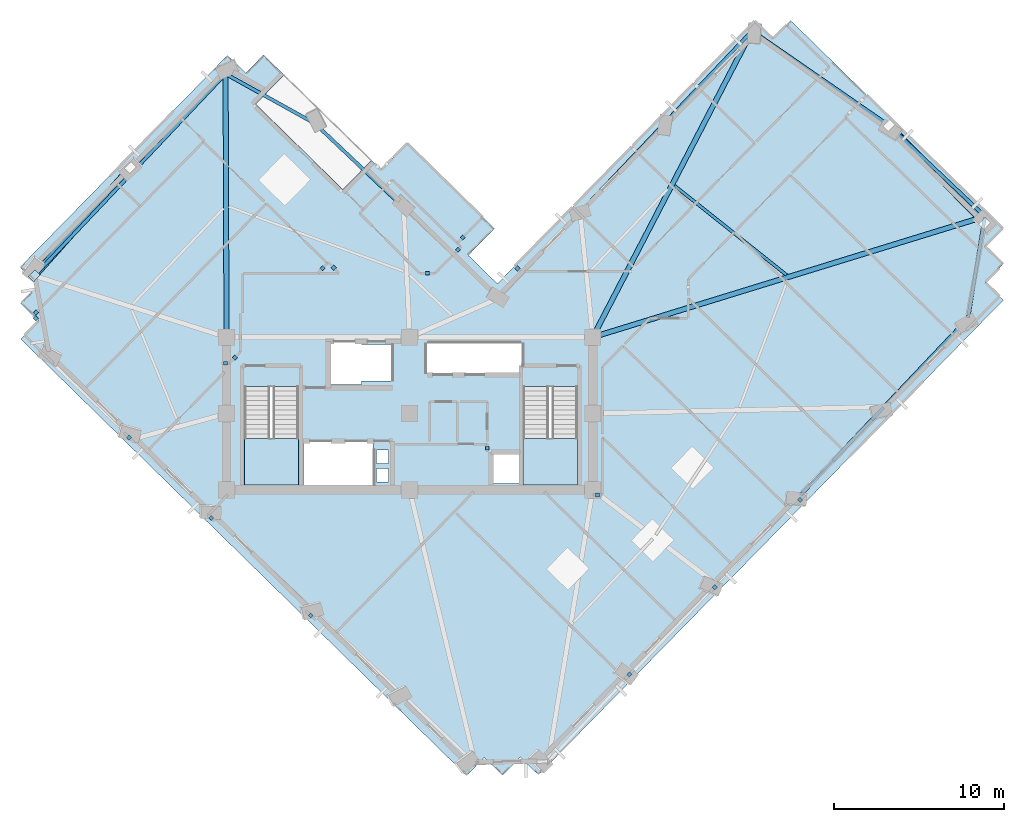
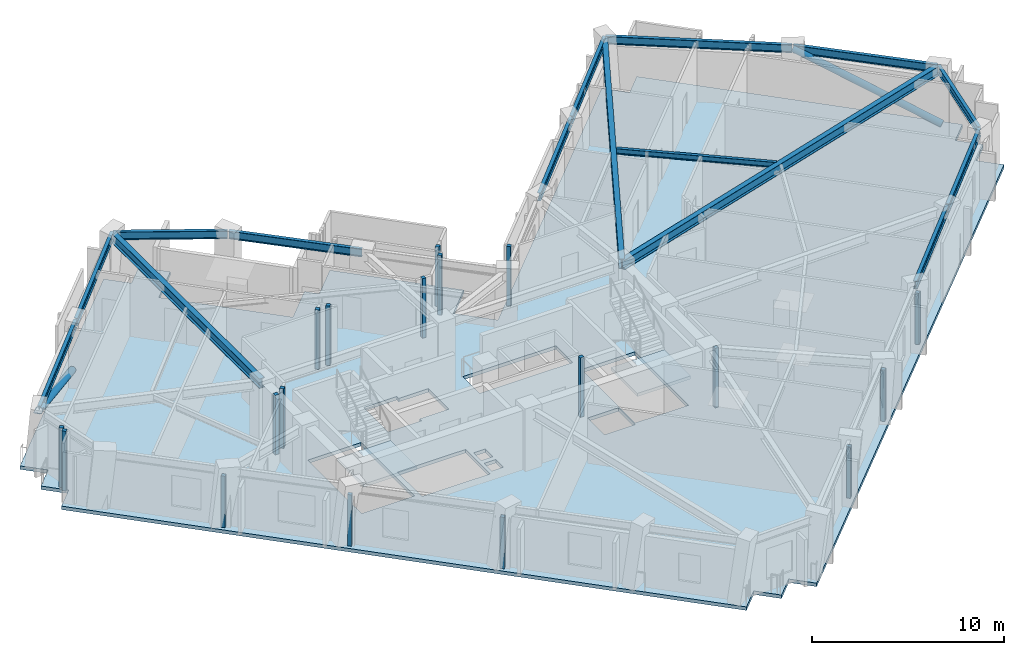
# One storey, part 2 of 12: 19 plates, 15 beams, 3 slabs, 2 members, 2 elements without a shape of their own.
"""IFC4 building model written with IfcOpenShell, lengths in metres."""

import ifcopenshell
import ifcopenshell.guid

model = None  # the IFC model being written
_history = None  # IfcOwnerHistory: only IFC2X3 demands one
_inside = {}  # id of a spatial element -> (the spatial element, [elements in it])
_under = {}  # id of a project, library or spatial element -> (it, [spatial elements below it])
_declared = {}  # id of a project -> (the project, [libraries it declares])
_typed = {}  # id of a type object -> (the type object, [elements of that type])
_made_of = {}  # id of a material, layer set ... -> (it, [elements and type objects made of it])


def new_model(schema):
    """Start an empty IFC model of exactly this schema.

    Asked for "IFC4X3", IfcOpenShell would pick the latest addendum, in which some entities
    have other attributes; the version numbers below select the first issue.
    IFC2X3 requires an IfcOwnerHistory on every rooted entity: one is made here for all.
    """
    global model, _history
    if schema == "IFC4X3":
        model = ifcopenshell.file(schema_version=(4, 3, 0, 0))
    else:
        model = ifcopenshell.file(schema=schema)
    _inside.clear()
    _under.clear()
    _declared.clear()
    _typed.clear()
    _made_of.clear()
    _history = None
    if model.schema == "IFC2X3":
        org = make("IfcOrganization", Name="unknown")
        user = make(
            "IfcPersonAndOrganization",
            ThePerson=make("IfcPerson", FamilyName="unknown"),
            TheOrganization=org,
        )
        app = make(
            "IfcApplication",
            ApplicationDeveloper=org,
            Version="unknown",
            ApplicationFullName="unknown",
            ApplicationIdentifier="unknown",
        )
        _history = make(
            "IfcOwnerHistory",
            OwningUser=user,
            OwningApplication=app,
            ChangeAction="ADDED",
            CreationDate=0,
        )
    return model


def make(cls, **values):
    """One entity of the class cls with the attributes given. An attribute that is None is left unset."""
    return model.create_entity(
        cls, **{name: value for name, value in values.items() if value is not None}
    )


def rooted(cls, **values):
    """An entity with a GlobalId (a new one), such as an element, a storey or a relation."""
    return make(cls, GlobalId=ifcopenshell.guid.new(), OwnerHistory=_history, **values)


def si_unit(unit_type, name, prefix=None):
    """IfcSIUnit, for example si_unit("LENGTHUNIT", "METRE", prefix="MILLI")."""
    return make("IfcSIUnit", UnitType=unit_type, Prefix=prefix, Name=name)


def assignment(units):
    """IfcUnitAssignment: the units of a project."""
    return None if units is None else make("IfcUnitAssignment", Units=units)


def point(xyz):
    """IfcCartesianPoint."""
    return None if xyz is None else make("IfcCartesianPoint", Coordinates=xyz)


def direction(xyz):
    """IfcDirection."""
    return None if xyz is None else make("IfcDirection", DirectionRatios=xyz)


def frame(location, z_axis=None, x_axis=None):
    """IfcAxis2Placement3D, a coordinate frame: its origin and axes. An axis left out is left unset."""
    return make(
        "IfcAxis2Placement3D",
        Location=point(location),
        Axis=direction(z_axis),
        RefDirection=direction(x_axis),
    )


def frame_2d(location, x_axis=None):
    """IfcAxis2Placement2D, a coordinate frame in the plane: its origin and x axis."""
    return make(
        "IfcAxis2Placement2D", Location=point(location), RefDirection=direction(x_axis)
    )


def origin():
    """The frame at (0, 0, 0) with its axes left unset."""
    return frame((0.0, 0.0, 0.0))


def origin_2d():
    """The frame at (0, 0) in the plane with its x axis left unset."""
    return frame_2d((0.0, 0.0))


def place(relative_to, where):
    """IfcLocalPlacement: puts the frame where relative to a parent placement (None: the world)."""
    return make(
        "IfcLocalPlacement", PlacementRelTo=relative_to, RelativePlacement=where
    )


def context(
    kind, dimensions, precision=None, world=None, true_north=None, identifier=None
):
    """IfcGeometricRepresentationContext, for example the 3D "Model" context."""
    return make(
        "IfcGeometricRepresentationContext",
        ContextIdentifier=identifier,
        ContextType=kind,
        CoordinateSpaceDimension=dimensions,
        Precision=precision,
        WorldCoordinateSystem=world,
        TrueNorth=true_north,
    )


def subcontext(parent, identifier, kind, view, scale=None):
    """IfcGeometricRepresentationSubContext, for example "Body" below "Model"."""
    return make(
        "IfcGeometricRepresentationSubContext",
        ContextIdentifier=identifier,
        ContextType=kind,
        ParentContext=parent,
        TargetScale=scale,
        TargetView=view,
    )


def project(units=None, contexts=None):
    """IfcProject with its units and contexts."""
    return rooted(
        "IfcProject",
        Name="project",
        RepresentationContexts=contexts,
        UnitsInContext=assignment(units),
    )


def spatial(cls, under=None, at=None, **own):
    """A site, building, storey or space (cls), placed at a placement, below another one or the project."""
    s = rooted(cls, ObjectPlacement=at, **own)
    if under is not None:
        _under.setdefault(under.id(), (under, []))[1].append(s)
    return s


def polyline(points):
    """IfcPolyline through the points."""
    return make("IfcPolyline", Points=[point(p) for p in points])


def profile(cls, at=None, kind="AREA", **sizes):
    """A parametric profile (cls). Its sizes go by their IFC names, for example OverallWidth=200.0."""
    return make(cls, ProfileType=kind, Position=at, **sizes)


def rectangle(**sizes):
    """IfcRectangleProfileDef."""
    return profile("IfcRectangleProfileDef", **sizes)


def hollow_circle(**sizes):
    """IfcCircleHollowProfileDef."""
    return profile("IfcCircleHollowProfileDef", **sizes)


def i_section(**sizes):
    """IfcIShapeProfileDef."""
    return profile("IfcIShapeProfileDef", **sizes)


def outline(outer, holes=None, kind="AREA"):
    """IfcArbitraryClosedProfileDef: a profile drawn as a closed curve; with holes, ...WithVoids."""
    if holes is None:
        return make("IfcArbitraryClosedProfileDef", ProfileType=kind, OuterCurve=outer)
    return make(
        "IfcArbitraryProfileDefWithVoids",
        ProfileType=kind,
        OuterCurve=outer,
        InnerCurves=holes,
    )


def extrude(swept, where, along, depth):
    """IfcExtrudedAreaSolid: the profile swept, set in the frame where, extruded along a direction by depth."""
    return make(
        "IfcExtrudedAreaSolid",
        SweptArea=swept,
        Position=where,
        ExtrudedDirection=direction(along),
        Depth=depth,
    )


def shape(context_of_items, identifier, shape_type, items):
    """IfcShapeRepresentation: the items that make up one representation, for example the "Body"."""
    return make(
        "IfcShapeRepresentation",
        ContextOfItems=context_of_items,
        RepresentationIdentifier=identifier,
        RepresentationType=shape_type,
        Items=items,
    )


def material(Name=None, Category=None):
    """IfcMaterial."""
    return make("IfcMaterial", Name=Name, Category=Category)


def layer(
    of_material, thickness, ventilated=None, Name=None, Category=None, Priority=None
):
    """IfcMaterialLayer: one layer of a wall or slab, of a material (None: an air gap)."""
    return make(
        "IfcMaterialLayer",
        Material=of_material,
        LayerThickness=thickness,
        IsVentilated=ventilated,
        Name=Name,
        Category=Category,
        Priority=Priority,
    )


def layer_set(layers, Name=None):
    """IfcMaterialLayerSet."""
    return make("IfcMaterialLayerSet", MaterialLayers=layers, LayerSetName=Name)


def material_profile(
    of_material, cross_section, Name=None, Category=None, Priority=None
):
    """IfcMaterialProfile: a cross section and its material."""
    return make(
        "IfcMaterialProfile",
        Name=Name,
        Material=of_material,
        Profile=cross_section,
        Priority=Priority,
        Category=Category,
    )


def profile_set(profiles, Name=None, composite=None):
    """IfcMaterialProfileSet."""
    return make(
        "IfcMaterialProfileSet",
        Name=Name,
        MaterialProfiles=profiles,
        CompositeProfile=composite,
    )


def made_of(thing, what):
    """Note that an element or type object is made of a material, layer set ...; save() writes the relation."""
    if what is not None:
        _made_of.setdefault(what.id(), (what, []))[1].append(thing)
    return thing


def type_object(cls, material=None, **own):
    """A type object (cls), such as IfcWallType, which elements share."""
    return made_of(rooted(cls, **own), material)


def element(
    cls,
    number,
    at=None,
    inside=None,
    cuts=None,
    type_object=None,
    material=None,
    context=None,
    identifier="Body",
    shape_type=None,
    held_by="IfcProductDefinitionShape",
    body=None,
    shapes=None,
    **own,
):
    """One element of the class cls, such as IfcWall. Its Tag is "e" and its number.

    at: its placement. inside: the storey or other place that contains it. cuts: it is an
    opening in that element (IfcRelVoidsElement). A single representation is given by context,
    identifier, shape_type and body (its items); several are given by shapes. held_by: the class
    of the entity that holds the representations. save() writes the other relations.
    """
    e = rooted(cls, Tag="e%d" % number, ObjectPlacement=at, **own)
    if body is not None:
        shapes = [shape(context, identifier, shape_type, body)]
    if shapes is not None:
        e.Representation = make(held_by, Representations=shapes)
    if inside is not None:
        _inside.setdefault(inside.id(), (inside, []))[1].append(e)
    if cuts is not None:
        rooted(
            "IfcRelVoidsElement", RelatingBuildingElement=cuts, RelatedOpeningElement=e
        )
    if type_object is not None:
        _typed.setdefault(type_object.id(), (type_object, []))[1].append(e)
    return made_of(e, material)


def aggregate(whole, parts):
    """IfcRelAggregates: a whole, such as a stair, and the parts it consists of."""
    return rooted("IfcRelAggregates", RelatingObject=whole, RelatedObjects=parts)


def save(model, path):
    """Write the relations noted so far, then the file.

    IfcRelAggregates (storeys below a building ...), IfcRelContainedInSpatialStructure (elements
    in a storey), IfcRelDefinesByType, IfcRelAssociatesMaterial and IfcRelDeclares: one each for
    every whole, place, type object, material and project.
    """
    for whole, parts in _under.values():
        aggregate(whole, parts)
    for where, things in _inside.values():
        rooted(
            "IfcRelContainedInSpatialStructure",
            RelatedElements=things,
            RelatingStructure=where,
        )
    for kind, things in _typed.values():
        rooted("IfcRelDefinesByType", RelatedObjects=things, RelatingType=kind)
    for what, things in _made_of.values():
        rooted("IfcRelAssociatesMaterial", RelatedObjects=things, RelatingMaterial=what)
    for by, libraries in _declared.values():
        rooted("IfcRelDeclares", RelatingContext=by, RelatedDefinitions=libraries)
    model.write(path)


model = new_model("IFC4")

# Units and contexts
model_context = context("Model", 3, precision=1e-05, world=origin(), true_north=direction((0.0, 1.0)))
body_context = subcontext(model_context, "Body", "Model", "MODEL_VIEW")
ifc_project = project(units=[si_unit("LENGTHUNIT", "METRE"), si_unit("AREAUNIT", "SQUARE_METRE"), si_unit("VOLUMEUNIT", "CUBIC_METRE"), si_unit("PLANEANGLEUNIT", "RADIAN"), si_unit("MASSUNIT", "GRAM", prefix="KILO")], contexts=[model_context])

# Site, building, storey
site_placement = place(None, origin())
site = spatial("IfcSite", under=ifc_project, at=site_placement, CompositionType="ELEMENT")
building_placement = place(site_placement, origin())
building = spatial("IfcBuilding", under=site, at=building_placement, Name="Gaonmaruhae Medical Tower", CompositionType="ELEMENT")
storey_placement = place(building_placement, frame((0.0, 0.0, 219.199951171875)))
storey = spatial("IfcBuildingStorey", under=building, at=storey_placement, Name="L52", CompositionType="ELEMENT", Elevation=219.199951171875)

# Beam
ifc_material_1 = material(Name="Steel SM355", Category="steel")
ifc_material_profile_1 = material_profile(ifc_material_1, i_section(OverallWidth=0.175048828125, OverallDepth=0.35009765625, WebThickness=0.007080078125, FlangeThickness=0.010986328125, FilletRadius=0.012939453125, at=origin_2d()), Name="H-350x175x7x11")
ifc_profile_set_1 = profile_set([ifc_material_profile_1], Name="Steel SM355")
beam_type_1 = type_object("IfcBeamType", Name="FJ-02 Upper Zone Ward Floor Joist (H-350x175x7x11)", PredefinedType="JOIST", material=ifc_profile_set_1)
beam_1_placement = place(storey_placement, frame((47.020751953125, 20.47900390625, 3.60498046875), z_axis=(-0.782050514718, 0.623215045092, 0.0), x_axis=(-0.623215045092, -0.782050514718, 0.0)))
element("IfcBeam", 1, at=beam_1_placement, inside=storey, type_object=beam_type_1, Name="L52 Secondary Floor Joist FJ04", PredefinedType="JOIST", context=body_context, shape_type="SweptSolid", body=[
    extrude(i_section(OverallWidth=0.175048828125, OverallDepth=0.35009765625, WebThickness=0.007080078125, FlangeThickness=0.010986328125, FilletRadius=0.012939453125, at=origin_2d()), origin(), (0.0, 0.0, 1.0), 8.435302734375),
])

# Members
ifc_material_2 = material(Name="Steel SM420", Category="steel")
ifc_material_profile_2 = material_profile(ifc_material_2, hollow_circle(Radius=0.203125, WallThickness=0.0126953125, at=origin_2d()), Name="CHS-406.4x12.7")
ifc_profile_set_2 = profile_set([ifc_material_profile_2], Name="Steel SM420")
member_type = type_object("IfcMemberType", Name="PB-02 Perimeter Solid-Bay Tube Brace Mid (CHS-406.4x12.7)", PredefinedType="BRACE", material=ifc_profile_set_2)
member_1_placement = place(storey_placement, frame((58.71728515625, 23.50732421875, 0.25), z_axis=(-0.647332849849, 0.662927521246, 0.37614795371), x_axis=(-0.715472066515, -0.698641340058, 0.0)))
element("IfcMember", 2, at=member_1_placement, inside=storey, type_object=member_type, Name="L52 Perimeter Tube Solid-Bay Brace E01-E02", PredefinedType="BRACE", context=body_context, shape_type="SweptSolid", body=[
    extrude(hollow_circle(Radius=0.203125, WallThickness=0.0126953125, at=origin_2d()), origin(), (0.0, 0.0, 1.0), 8.719970703125),
])
member_2_placement = place(storey_placement, frame((8.333984375, 26.79833984375, 0.25), z_axis=(-0.620374623468, -0.697347030454, 0.358946299151), x_axis=(0.747137616105, -0.664669378413, 0.0)))
element("IfcMember", 3, at=member_2_placement, inside=storey, type_object=member_type, Name="L52 Perimeter Tube Solid-Bay Brace N02-N03", PredefinedType="BRACE", context=body_context, shape_type="SweptSolid", body=[
    extrude(hollow_circle(Radius=0.203125, WallThickness=0.0126953125, at=origin_2d()), origin(), (0.0, 0.0, 1.0), 9.137939453125),
])

# Beams
ifc_material_profile_3 = material_profile(ifc_material_2, i_section(OverallWidth=0.300048828125, OverallDepth=0.60009765625, WebThickness=0.011962890625, FlangeThickness=0.02001953125, FilletRadius=0.012939453125, at=origin_2d()), Name="H-600x300x12x20")
ifc_profile_set_3 = profile_set([ifc_material_profile_3], Name="Steel SM420")
beam_type_2 = type_object("IfcBeamType", Name="PG-04 Zone 4 Radial Floor Girder (H-600x300x12x20)", PredefinedType="BEAM", material=ifc_profile_set_3)
beam_2_placement = place(storey_placement, frame((35.647705078125, 16.814697265625, 3.47998046875), z_axis=(0.955717019792, 0.294287237373, 0.0), x_axis=(-0.294287237373, 0.955717019792, 0.0)))
element("IfcBeam", 4, at=beam_2_placement, inside=storey, type_object=beam_type_2, Name="L52 Radial Primary Girder E01", PredefinedType="BEAM", context=body_context, shape_type="SweptSolid", body=[
    extrude(i_section(OverallWidth=0.300048828125, OverallDepth=0.60009765625, WebThickness=0.011962890625, FlangeThickness=0.02001953125, FilletRadius=0.012939453125, at=origin_2d()), origin(), (0.0, 0.0, 1.0), 24.107421875),
])
beam_3_placement = place(storey_placement, frame((35.623046875, 16.84423828125, 3.47998046875), z_axis=(0.46145665101, 0.887162758032, 0.0), x_axis=(-0.887162758032, 0.46145665101, 0.0)))
element("IfcBeam", 5, at=beam_3_placement, inside=storey, type_object=beam_type_2, Name="L52 Radial Primary Girder E03", PredefinedType="BEAM", context=body_context, shape_type="SweptSolid", body=[
    extrude(i_section(OverallWidth=0.300048828125, OverallDepth=0.60009765625, WebThickness=0.011962890625, FlangeThickness=0.02001953125, FilletRadius=0.012939453125, at=origin_2d()), origin(), (0.0, 0.0, 1.0), 20.2685546875),
])
beam_4_placement = place(storey_placement, frame((13.999755859375, 16.85009765625, 3.47998046875), z_axis=(-0.003622878026, 0.999993437356, 0.0), x_axis=(-0.999993437356, -0.003622878026, 0.0)))
element("IfcBeam", 6, at=beam_4_placement, inside=storey, type_object=beam_type_2, Name="L52 Radial Primary Girder N01", PredefinedType="BEAM", context=body_context, shape_type="SweptSolid", body=[
    extrude(i_section(OverallWidth=0.300048828125, OverallDepth=0.60009765625, WebThickness=0.011962890625, FlangeThickness=0.02001953125, FilletRadius=0.012939453125, at=origin_2d()), origin(), (0.0, 0.0, 1.0), 15.431884765625),
])
ifc_material_profile_4 = material_profile(ifc_material_1, i_section(OverallWidth=0.199951171875, OverallDepth=0.5, WebThickness=0.010009765625, FlangeThickness=0.01611328125, FilletRadius=0.012939453125, at=origin_2d()), Name="H-500x200x10x16")
ifc_profile_set_4 = profile_set([ifc_material_profile_4], Name="Steel SM355")
beam_type_3 = type_object("IfcBeamType", Name="SP-02 Upper Perimeter Spandrel Beam (H-500x200x10x16)", PredefinedType="SPANDREL", material=ifc_profile_set_4)
for number, where, z_axis, x_axis, name in (
    (7, (47.854736328125, 7.49462890625, 3.530029296875), (0.687749403408, 0.725948178668, 0.0), (-0.725948178668, 0.687749403408, 0.0), "L52 Perimeter Spandrel Beam S04-S05"),
    (8, (52.806396484375, 12.721435546875, 3.530029296875), (0.687714212069, 0.72598151665, 0.0), (-0.72598151665, 0.687714212069, 0.0), "L52 Perimeter Spandrel Beam S05-S06"),
):
    element("IfcBeam", number, at=place(storey_placement, frame(where, z_axis=z_axis, x_axis=x_axis)), inside=storey, type_object=beam_type_3, Name=name, PredefinedType="SPANDREL", context=body_context, shape_type="SweptSolid", body=[
        extrude(i_section(OverallWidth=0.199951171875, OverallDepth=0.5, WebThickness=0.010009765625, FlangeThickness=0.01611328125, FilletRadius=0.012939453125, at=origin_2d()), origin(), (0.0, 0.0, 1.0), 7.119873046875),
    ])
beam_5_placement = place(storey_placement, frame((57.737060546875, 17.958984375, 3.530029296875), z_axis=(0.165024976522, 0.986289388123, 0.0), x_axis=(-0.986289388123, 0.165024976522, 0.0)))
element("IfcBeam", 9, at=beam_5_placement, inside=storey, type_object=beam_type_3, Name="L52 Perimeter Spandrel Beam S06-E01", PredefinedType="SPANDREL", context=body_context, shape_type="SweptSolid", body=[
    extrude(i_section(OverallWidth=0.199951171875, OverallDepth=0.5, WebThickness=0.010009765625, FlangeThickness=0.01611328125, FilletRadius=0.012939453125, at=origin_2d()), origin(), (0.0, 0.0, 1.0), 6.0078125),
])
beam_6_placement = place(storey_placement, frame((58.7060546875, 23.951416015625, 3.530029296875), z_axis=(-0.7259651488, 0.687731490284, 0.0), x_axis=(-0.687731490284, -0.7259651488, 0.0)))
element("IfcBeam", 10, at=beam_6_placement, inside=storey, type_object=beam_type_3, Name="L52 Perimeter Spandrel Beam E01-E02", PredefinedType="SPANDREL", context=body_context, shape_type="SweptSolid", body=[
    extrude(i_section(OverallWidth=0.199951171875, OverallDepth=0.5, WebThickness=0.010009765625, FlangeThickness=0.01611328125, FilletRadius=0.012939453125, at=origin_2d()), origin(), (0.0, 0.0, 1.0), 7.719970703125),
])
beam_7_placement = place(storey_placement, frame((53.039794921875, 29.310791015625, 3.530029296875), z_axis=(-0.822540513875, 0.568706517489, 0.0), x_axis=(-0.568706517489, -0.822540513875, 0.0)))
element("IfcBeam", 11, at=beam_7_placement, inside=storey, type_object=beam_type_3, Name="L52 Perimeter Spandrel Beam E02-E03", PredefinedType="SPANDREL", context=body_context, shape_type="SweptSolid", body=[
    extrude(i_section(OverallWidth=0.199951171875, OverallDepth=0.5, WebThickness=0.010009765625, FlangeThickness=0.01611328125, FilletRadius=0.012939453125, at=origin_2d()), origin(), (0.0, 0.0, 1.0), 9.7353515625),
])
beam_8_placement = place(storey_placement, frame((44.971435546875, 34.841064453125, 3.530029296875), z_axis=(-0.687712012103, -0.725983600648, 0.0), x_axis=(0.725983600648, -0.687712012103, 0.0)))
element("IfcBeam", 12, at=beam_8_placement, inside=storey, type_object=beam_type_3, Name="L52 Perimeter Spandrel Beam E03-EN01", PredefinedType="SPANDREL", context=body_context, shape_type="SweptSolid", body=[
    extrude(i_section(OverallWidth=0.199951171875, OverallDepth=0.5, WebThickness=0.010009765625, FlangeThickness=0.01611328125, FilletRadius=0.012939453125, at=origin_2d()), origin(), (0.0, 0.0, 1.0), 7.469970703125),
])
beam_9_placement = place(storey_placement, frame((39.779296875, 29.35986328125, 3.530029296875), z_axis=(-0.687732283788, -0.725964397086, 0.0), x_axis=(0.725964397086, -0.687732283788, 0.0)))
element("IfcBeam", 13, at=beam_9_placement, inside=storey, type_object=beam_type_3, Name="L52 Perimeter Spandrel Beam EN01-EN02", PredefinedType="SPANDREL", context=body_context, shape_type="SweptSolid", body=[
    extrude(i_section(OverallWidth=0.199951171875, OverallDepth=0.5, WebThickness=0.010009765625, FlangeThickness=0.01611328125, FilletRadius=0.012939453125, at=origin_2d()), origin(), (0.0, 0.0, 1.0), 7.1201171875),
])
beam_10_placement = place(storey_placement, frame((24.420166015625, 24.473876953125, 3.510009765625), z_axis=(-0.72598151665, 0.687714212069, 0.0), x_axis=(-0.687714212069, -0.72598151665, 0.0)))
element("IfcBeam", 14, at=beam_10_placement, inside=storey, type_object=beam_type_3, Name="L52 Perimeter Spandrel Beam NE01-NE02", PredefinedType="SPANDREL", context=body_context, shape_type="SweptSolid", body=[
    extrude(i_section(OverallWidth=0.199951171875, OverallDepth=0.5, WebThickness=0.010009765625, FlangeThickness=0.01611328125, FilletRadius=0.012939453125, at=origin_2d()), origin(), (0.0, 0.0, 1.0), 7.119873046875),
])
beam_11_placement = place(storey_placement, frame((19.187255859375, 29.417236328125, 3.510009765625), z_axis=(-0.874031640416, 0.485869006577, 0.0), x_axis=(-0.485869006577, -0.874031640416, 0.0)))
element("IfcBeam", 15, at=beam_11_placement, inside=storey, type_object=beam_type_3, Name="L52 Perimeter Spandrel Beam NE02-N01", PredefinedType="SPANDREL", context=body_context, shape_type="SweptSolid", body=[
    extrude(i_section(OverallWidth=0.199951171875, OverallDepth=0.5, WebThickness=0.010009765625, FlangeThickness=0.01611328125, FilletRadius=0.012939453125, at=origin_2d()), origin(), (0.0, 0.0, 1.0), 5.95947265625),
])
beam_12_placement = place(storey_placement, frame((13.916015625, 32.302978515625, 3.530029296875), z_axis=(-0.687725466159, -0.725970855611, 0.0), x_axis=(0.725970855611, -0.687725466159, 0.0)))
element("IfcBeam", 16, at=beam_12_placement, inside=storey, type_object=beam_type_3, Name="L52 Perimeter Spandrel Beam N01-N02", PredefinedType="SPANDREL", context=body_context, shape_type="SweptSolid", body=[
    extrude(i_section(OverallWidth=0.199951171875, OverallDepth=0.5, WebThickness=0.010009765625, FlangeThickness=0.01611328125, FilletRadius=0.012939453125, at=origin_2d()), origin(), (0.0, 0.0, 1.0), 8.119873046875),
])
beam_13_placement = place(storey_placement, frame((8.27685546875, 26.35009765625, 3.530029296875), z_axis=(-0.687710454764, -0.725985075885, 0.0), x_axis=(0.725985075885, -0.687710454764, 0.0)))
element("IfcBeam", 17, at=beam_13_placement, inside=storey, type_object=beam_type_3, Name="L52 Perimeter Spandrel Beam N02-N03", PredefinedType="SPANDREL", context=body_context, shape_type="SweptSolid", body=[
    extrude(i_section(OverallWidth=0.199951171875, OverallDepth=0.5, WebThickness=0.010009765625, FlangeThickness=0.01611328125, FilletRadius=0.012939453125, at=origin_2d()), origin(), (0.0, 0.0, 1.0), 8.1201171875),
])

# Slab
ifc_material_3 = material(Name="Concrete C40/50", Category="concrete")
ifc_layer_1 = layer(ifc_material_3, 0.219970703125)
ifc_layer_set_1 = layer_set([ifc_layer_1], Name="Concrete C40/50")
slab_type_1 = type_object("IfcSlabType", Name="FS-220 Clinical Ward Composite Floor Slab", PredefinedType="FLOOR", material=ifc_layer_set_1)
slab_1_placement = place(storey_placement, frame((0.0, 0.0, -0.219970703125)))
element("IfcSlab", 18, at=slab_1_placement, inside=storey, type_object=slab_type_1, Name="L52 Structural Slab 1", PredefinedType="FLOOR", context=body_context, shape_type="SweptSolid", body=[
    extrude(outline(polyline([(45.15625, 35.45751953125), (46.22802734375, 34.407958984375), (47.277587890625, 35.479736328125), (59.78076171875, 23.235595703125), (58.731201171875, 22.163818359375), (59.802978515625, 21.114501953125), (58.75341796875, 20.042724609375), (59.8251953125, 18.9931640625), (32.3984375, -9.01416015625), (31.32666015625, -7.964599609375), (30.277099609375, -9.036376953125), (29.20556640625, -7.98681640625), (28.156005859375, -9.05859375), (1.86328125, 16.68896484375), (2.912841796875, 17.7607421875), (1.84130859375, 18.810302734375), (2.890625, 19.882080078125), (1.819091796875, 20.931396484375), (14.06298828125, 33.434814453125), (15.134765625, 32.38525390625), (16.184326171875, 33.456787109375), (17.39892578125, 32.267578125), (15.7197265625, 30.552734375), (20.864013671875, 25.51513671875), (22.543212890625, 27.22998046875), (23.11474609375, 26.670166015625), (24.65380859375, 28.241943359375), (29.798095703125, 23.20458984375), (28.2587890625, 21.632568359375), (29.9736328125, 19.953369140625), (45.15625, 35.45751953125)]), holes=[polyline([(23.550048828125, 8.25), (22.85009765625, 8.25), (22.85009765625, 9.050048828125), (23.550048828125, 9.050048828125), (23.550048828125, 8.25)]), polyline([(31.425048828125, 9.925048828125), (31.425048828125, 8.175048828125), (29.574951171875, 8.175048828125), (29.574951171875, 9.925048828125), (31.425048828125, 9.925048828125)]), polyline([(22.64990234375, 10.625), (22.64990234375, 8.074951171875), (18.550048828125, 8.074951171875), (18.550048828125, 10.625), (22.64990234375, 10.625)]), polyline([(23.550048828125, 9.35009765625), (22.85009765625, 9.35009765625), (22.85009765625, 10.14990234375), (23.550048828125, 10.14990234375), (23.550048828125, 9.35009765625)]), polyline([(15.050048828125, 13.889892578125), (18.25, 13.889892578125), (18.25, 8.300048828125), (15.050048828125, 8.300048828125), (15.050048828125, 13.889892578125)]), polyline([(31.5, 13.889892578125), (34.699951171875, 13.889892578125), (34.699951171875, 8.300048828125), (31.5, 8.300048828125), (31.5, 13.889892578125)]), polyline([(21.949951171875, 14.22509765625), (21.949951171875, 14.02490234375), (19.949951171875, 14.02490234375), (19.949951171875, 16.574951171875), (21.949951171875, 16.574951171875), (21.949951171875, 16.375), (23.72509765625, 16.375), (23.72509765625, 14.22509765625), (21.949951171875, 14.22509765625)]), polyline([(31.425048828125, 16.425048828125), (31.425048828125, 14.675048828125), (25.824951171875, 14.675048828125), (25.824951171875, 16.425048828125), (31.425048828125, 16.425048828125)])]), origin(), (0.0, 0.0, 1.0), 0.219970703125),
])

# Plates
ifc_material_4 = material(Name="Steel HSA650 (650 MPa)", Category="steel")
ifc_layer_2 = layer(ifc_material_4, 0.028076171875)
ifc_layer_set_2 = layer_set([ifc_layer_2], Name="Steel HSA650 (650 MPa)")
plate_type_1 = type_object("IfcPlateType", Name="GP-02 Tube Brace End Cap Gusset Plate", PredefinedType="USERDEFINED", material=ifc_layer_set_2)
plate_1_placement = place(storey_placement, frame((2.6650390625, 20.426025390625, 3.51611328125), z_axis=(0.0, 0.0, 1.0), x_axis=(0.687721305114, 0.725974797422, 0.0)))
element("IfcPlate", 19, at=plate_1_placement, inside=storey, type_object=plate_type_1, Name="L52 Gusset Cap Plate PLT-L52-PBR-N02B", ObjectType="GUSSET_PLATE", PredefinedType="USERDEFINED", context=body_context, shape_type="SweptSolid", body=[
    extrude(rectangle(XDim=0.56005859375, YDim=0.43994140625, at=origin_2d()), origin(), (0.0, 0.0, 1.0), 0.028076171875),
])
ifc_material_5 = material(Name="Anodised aluminium 6063-T6", Category="aluminium")
ifc_layer_3 = layer(ifc_material_5, 0.011962890625)
ifc_layer_set_3 = layer_set([ifc_layer_3], Name="Anodised aluminium 6063-T6")
plate_type_2 = type_object("IfcPlateType", Name="PP-01 Interior Partition Corner Stiffener Plate", PredefinedType="SHEET", material=ifc_layer_set_3)
plate_2_placement = place(storey_placement, frame((29.3798828125, 10.260009765625, 0.0), z_axis=(0.0, 0.0, 1.0), x_axis=(0.0, -1.0, 0.0)))
element("IfcPlate", 20, at=plate_2_placement, inside=storey, type_object=plate_type_2, Name="L52 Partition Corner Stiffener Plate PLT-L52-JGP-PW002", PredefinedType="SHEET", context=body_context, shape_type="SweptSolid", body=[
    extrude(rectangle(XDim=0.219970703125, YDim=0.219970703125, at=origin_2d()), origin(), (0.0, 0.0, 1.0), 3.780029296875),
])
for number, where, z_axis, x_axis, name in (
    (21, (37.760986328125, -3.08056640625, 0.0), (0.0, 0.0, 1.0), (-0.699551102776, -0.714582573678, 0.0), "L52 Partition Corner Stiffener Plate PLT-L52-JGP-PW008"),
    (22, (42.79443359375, 2.05908203125, 0.0), (0.0, 0.0, 1.0), (-0.700012414172, -0.714130674321, 0.0), "L52 Partition Corner Stiffener Plate PLT-L52-JGP-PW013"),
):
    element("IfcPlate", number, at=place(storey_placement, frame(where, z_axis=z_axis, x_axis=x_axis)), inside=storey, type_object=plate_type_2, Name=name, PredefinedType="SHEET", context=body_context, shape_type="SweptSolid", body=[
        extrude(rectangle(XDim=0.219970703125, YDim=0.219970703125, at=origin_2d()), origin(), (0.0, 0.0, 1.0), 3.264892578125),
    ])
plate_3_placement = place(storey_placement, frame((35.875, 7.5, 0.0), z_axis=(0.0, 0.0, 1.0), x_axis=(1.0, 0.0, 0.0)))
element("IfcPlate", 23, at=plate_3_placement, inside=storey, type_object=plate_type_2, Name="L52 Partition Corner Stiffener Plate PLT-L52-JGP-PW014", PredefinedType="SHEET", context=body_context, shape_type="SweptSolid", body=[
    extrude(rectangle(XDim=0.219970703125, YDim=0.219970703125, at=origin_2d()), origin(), (0.0, 0.0, 1.0), 3.780029296875),
])
for number, where, z_axis, x_axis, name in (
    (24, (47.83154296875, 7.202880859375, 0.0), (0.0, 0.0, 1.0), (-0.698877313973, -0.715241567593, 0.0), "L52 Partition Corner Stiffener Plate PLT-L52-JGP-PW021"),
    (25, (18.968505859375, 0.386474609375, 0.0), (0.0, 0.0, 1.0), (-0.714680242473, 0.699451321408, 0.0), "L52 Partition Corner Stiffener Plate PLT-L52-JGP-PW036"),
    (26, (13.099609375, 6.134521484375, 0.0), (0.0, 0.0, 1.0), (-0.714692450092, 0.699438847778, 0.0), "L52 Partition Corner Stiffener Plate PLT-L52-JGP-PW039"),
):
    element("IfcPlate", number, at=place(storey_placement, frame(where, z_axis=z_axis, x_axis=x_axis)), inside=storey, type_object=plate_type_2, Name=name, PredefinedType="SHEET", context=body_context, shape_type="SweptSolid", body=[
        extrude(rectangle(XDim=0.219970703125, YDim=0.219970703125, at=origin_2d()), origin(), (0.0, 0.0, 1.0), 3.264892578125),
    ])
for number, where, z_axis, x_axis, name in (
    (27, (14.492919921875, 15.593505859375, 0.0), (0.0, 0.0, 1.0), (-0.7001121188, -0.714032927188, 0.0), "L52 Partition Corner Stiffener Plate PLT-L52-JGP-PW044"),
    (28, (13.93310546875, 15.260009765625, 0.0), (0.0, 0.0, 1.0), (-1.0, 0.0, 0.0), "L52 Partition Corner Stiffener Plate PLT-L52-JGP-PW045"),
):
    element("IfcPlate", number, at=place(storey_placement, frame(where, z_axis=z_axis, x_axis=x_axis)), inside=storey, type_object=plate_type_2, Name=name, PredefinedType="SHEET", context=body_context, shape_type="SweptSolid", body=[
        extrude(rectangle(XDim=0.219970703125, YDim=0.219970703125, at=origin_2d()), origin(), (0.0, 0.0, 1.0), 3.780029296875),
    ])
plate_4_placement = place(storey_placement, frame((8.251953125, 10.881103515625, 0.0), z_axis=(0.0, 0.0, 1.0), x_axis=(-0.714729071645, 0.69940142561, 0.0)))
element("IfcPlate", 29, at=plate_4_placement, inside=storey, type_object=plate_type_2, Name="L52 Partition Corner Stiffener Plate PLT-L52-JGP-PW046", PredefinedType="SHEET", context=body_context, shape_type="SweptSolid", body=[
    extrude(rectangle(XDim=0.219970703125, YDim=0.219970703125, at=origin_2d()), origin(), (0.0, 0.0, 1.0), 3.264892578125),
])
for number, where, z_axis, x_axis, name in (
    (30, (19.662109375, 20.8720703125, 0.0), (0.0, 0.0, 1.0), (-0.699725687353, -0.714411619768, 0.0), "L52 Partition Corner Stiffener Plate PLT-L52-JGP-PW049"),
    (31, (2.764892578125, 18.25390625, 0.0), (0.0, 0.0, 1.0), (0.699027098488, 0.715095179385, 0.0), "L52 Partition Corner Stiffener Plate PLT-L52-JGP-PW051"),
    (32, (2.751953125, 17.91845703125, 0.0), (0.0, 0.0, 1.0), (-0.714838924546, 0.699289147602, 0.0), "L52 Partition Corner Stiffener Plate PLT-L52-JGP-PW056"),
    (33, (31.16162109375, 20.85595703125, 0.0), (0.0, 0.0, 1.0), (-0.715107379601, 0.699014617616, 0.0), "L52 Partition Corner Stiffener Plate PLT-L52-JGP-PW060"),
    (34, (27.652587890625, 21.95703125, 0.0), (0.0, 0.0, 1.0), (-0.699850365044, -0.714289483716, 0.0), "L52 Partition Corner Stiffener Plate PLT-L52-JGP-PW076"),
    (35, (25.8505859375, 20.580078125, 0.0), (0.0, 0.0, 1.0), (-1.0, 0.0, 0.0), "L52 Partition Corner Stiffener Plate PLT-L52-JGP-PW078"),
    (36, (20.320556640625, 20.89697265625, 0.0), (0.0, 0.0, 1.0), (0.714240623203, -0.699900230152, 0.0), "L52 Partition Corner Stiffener Plate PLT-L52-JGP-PW091"),
    (37, (27.929443359375, 22.6826171875, 0.0), (0.0, 0.0, 1.0), (-0.699276671203, -0.714851129335, 0.0), "L52 Partition Corner Stiffener Plate PLT-L52-JGP-PW096"),
):
    element("IfcPlate", number, at=place(storey_placement, frame(where, z_axis=z_axis, x_axis=x_axis)), inside=storey, type_object=plate_type_2, Name=name, PredefinedType="SHEET", context=body_context, shape_type="SweptSolid", body=[
        extrude(rectangle(XDim=0.219970703125, YDim=0.219970703125, at=origin_2d()), origin(), (0.0, 0.0, 1.0), 3.780029296875),
    ])

# Stair, slab
stair_type = type_object("IfcStairType", Name="ST-T1 Primary Core Escape Dogleg Stair", PredefinedType="TWO_QUARTER_TURN_STAIR", material=ifc_material_3)
stair_1_placement = place(storey_placement, origin())
stair_1 = element("IfcStair", 38, at=stair_1_placement, inside=storey, type_object=stair_type, Name="L52 Protected Escape Stair ST-01", PredefinedType="TWO_QUARTER_TURN_STAIR")
ifc_layer_4 = layer(ifc_material_3, 0.199951171875)
ifc_layer_set_4 = layer_set([ifc_layer_4], Name="Concrete C40/50")
slab_type_2 = type_object("IfcSlabType", Name="SL-200 Stair & Ramp Intermediate Concrete Landing", PredefinedType="LANDING", material=ifc_layer_set_4)
slab_2_placement = place(storey_placement, frame((0.0, 0.0, 1.800048828125)))
slab_2 = element("IfcSlab", 39, at=slab_2_placement, type_object=slab_type_2, Name="ST-01 landing 1", PredefinedType="LANDING", context=body_context, shape_type="SweptSolid", body=[
    extrude(outline(polyline([(15.050048828125, 10.820068359375), (15.050048828125, 8.0791015625), (18.25, 8.0791015625), (18.25, 10.820068359375), (15.050048828125, 10.820068359375)])), origin(), (0.0, 0.0, 1.0), 0.199951171875),
])
aggregate(stair_1, [slab_2])

stair_2_placement = place(storey_placement, origin())
stair_2 = element("IfcStair", 40, at=stair_2_placement, inside=storey, type_object=stair_type, Name="L52 Protected Escape Stair ST-02", PredefinedType="TWO_QUARTER_TURN_STAIR")
slab_3_placement = place(storey_placement, frame((0.0, 0.0, 1.800048828125)))
slab_3 = element("IfcSlab", 41, at=slab_3_placement, type_object=slab_type_2, Name="ST-02 landing 1", PredefinedType="LANDING", context=body_context, shape_type="SweptSolid", body=[
    extrude(outline(polyline([(31.5, 10.820068359375), (31.5, 8.0791015625), (34.699951171875, 8.0791015625), (34.699951171875, 10.820068359375), (31.5, 10.820068359375)])), origin(), (0.0, 0.0, 1.0), 0.199951171875),
])
aggregate(stair_2, [slab_3])

save(model, "model.ifc")
